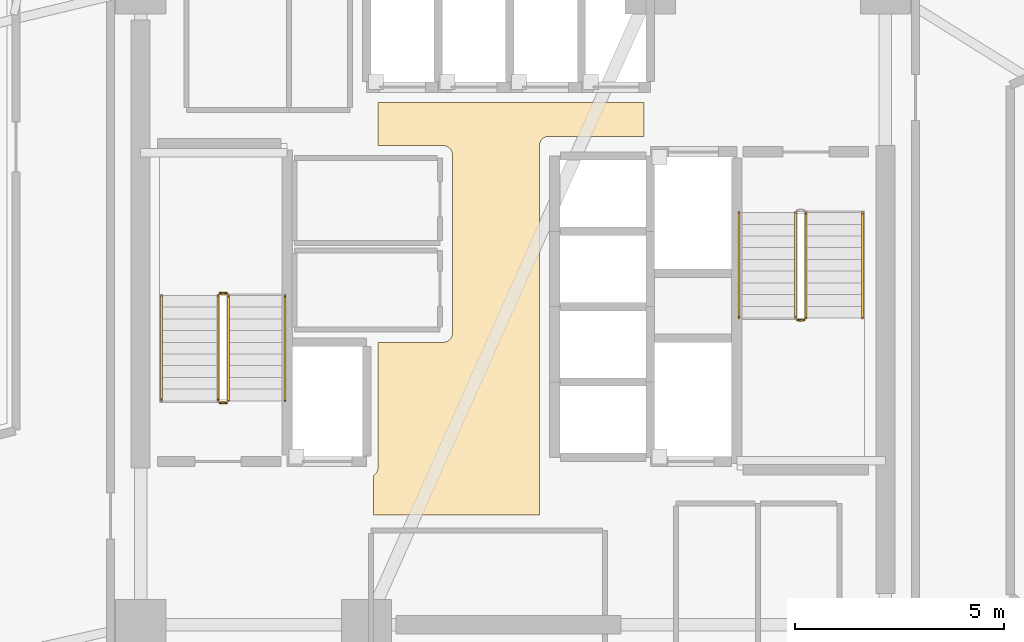
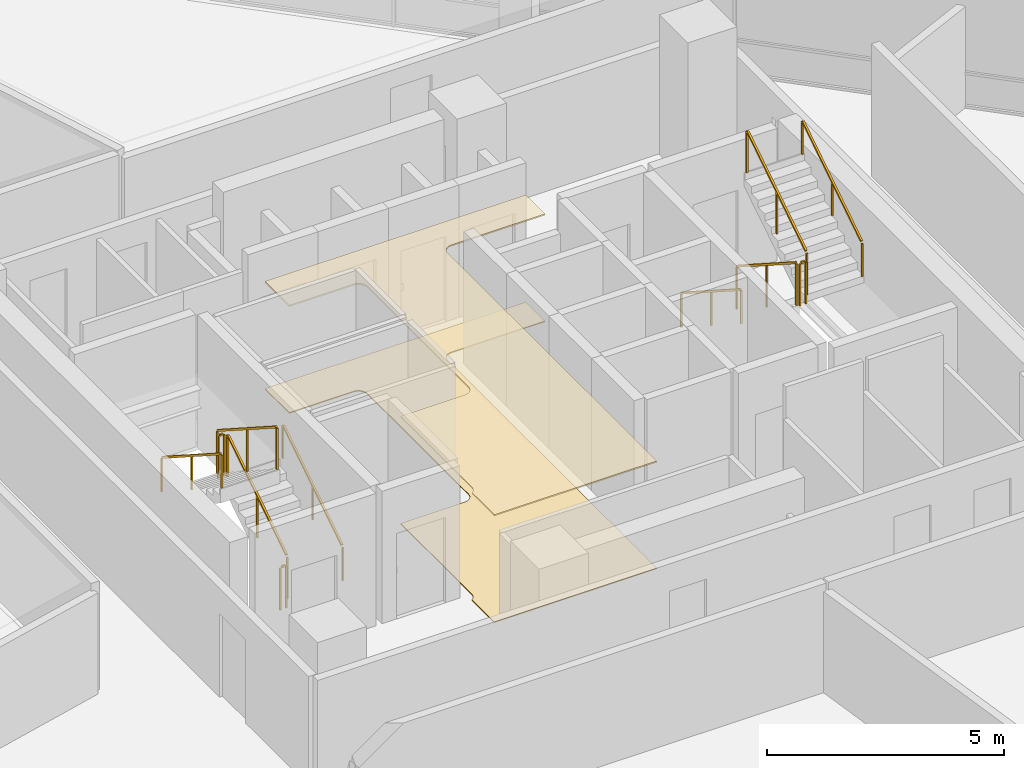
# One storey, part 15 of 18: 11 railings, 2 coverings.
"""IFC4 building model written with IfcOpenShell, lengths in metres."""

from ifc_helpers import new_model, si_unit, direction, frame, origin, origin_2d, place, context, subcontext, project, spatial, polyline, rectangle, outline, extrude, material, layer, layer_set, type_object, element, save


model = new_model("IFC4")

# Units and contexts
model_context = context("Model", 3, precision=1e-05, world=origin(), true_north=direction((0.0, 1.0)))
body_context = subcontext(model_context, "Body", "Model", "MODEL_VIEW")
ifc_project = project(units=[si_unit("LENGTHUNIT", "METRE"), si_unit("AREAUNIT", "SQUARE_METRE"), si_unit("VOLUMEUNIT", "CUBIC_METRE"), si_unit("PLANEANGLEUNIT", "RADIAN"), si_unit("MASSUNIT", "GRAM", prefix="KILO")], contexts=[model_context])

# Site, building, storey
site_placement = place(None, origin())
site = spatial("IfcSite", under=ifc_project, at=site_placement, CompositionType="ELEMENT")
building_placement = place(site_placement, origin())
building = spatial("IfcBuilding", under=site, at=building_placement, Name="Tharavind Bronze Gate", CompositionType="ELEMENT")
storey_placement = place(building_placement, frame((0.0, 0.0, 100.5)))
storey = spatial("IfcBuildingStorey", under=building, at=storey_placement, Name="L25", CompositionType="ELEMENT", Elevation=100.5)

# Coverings
ifc_material_1 = material(Name="Perforated Bronze Acoustic Panel", Category="bronze")
ifc_layer_1 = layer(ifc_material_1, 0.044921875)
ifc_layer_set_1 = layer_set([ifc_layer_1], Name="Perforated Bronze Acoustic Panel")
covering_type_1 = type_object("IfcCoveringType", Name="ACOUSTIC BRONZE BAFFLE CEILING", PredefinedType="CEILING", material=ifc_layer_set_1)
covering_1_placement = place(storey_placement, frame((0.0, 0.0, 2.75)))
element("IfcCovering", 1, at=covering_1_placement, inside=storey, type_object=covering_type_1, Name="L25-C-LL suspended ceiling", PredefinedType="CEILING", context=body_context, shape_type="SweptSolid", body=[
    extrude(outline(polyline([(-3.330078125, -4.97998046875), (0.6298828125, -4.97998046875), (0.6298828125, 3.85009765625), (0.631103515625, 3.87158203125), (0.63427734375, 3.892822265625), (0.639404296875, 3.913818359375), (0.646728515625, 3.93408203125), (0.656005859375, 3.95361328125), (0.6669921875, 3.97216796875), (0.679931640625, 3.989501953125), (0.6943359375, 4.005615234375), (0.71044921875, 4.02001953125), (0.727783203125, 4.032958984375), (0.746337890625, 4.0439453125), (0.765869140625, 4.05322265625), (0.7861328125, 4.060546875), (0.80712890625, 4.06591796875), (0.828369140625, 4.06884765625), (0.85009765625, 4.070068359375), (3.1298828125, 4.070068359375), (3.1298828125, 4.8798828125), (-3.22998046875, 4.8798828125), (-3.22998046875, 3.85009765625), (-1.669921875, 3.85009765625), (-1.6484375, 3.848876953125), (-1.627197265625, 3.845703125), (-1.606201171875, 3.840576171875), (-1.585693359375, 3.833251953125), (-1.56640625, 3.823974609375), (-1.5478515625, 3.81298828125), (-1.530517578125, 3.800048828125), (-1.514404296875, 3.78564453125), (-1.5, 3.76953125), (-1.487060546875, 3.752197265625), (-1.47607421875, 3.733642578125), (-1.466796875, 3.714111328125), (-1.45947265625, 3.69384765625), (-1.4541015625, 3.6728515625), (-1.451171875, 3.651611328125), (-1.449951171875, 3.6298828125), (-1.449951171875, 1.43994140625), (-1.450439453125, 1.429931640625), (-1.449951171875, 1.419921875), (-1.449951171875, -0.6298828125), (-1.451171875, -0.651611328125), (-1.4541015625, -0.6728515625), (-1.45947265625, -0.69384765625), (-1.466796875, -0.714111328125), (-1.47607421875, -0.733642578125), (-1.487060546875, -0.752197265625), (-1.5, -0.76953125), (-1.514404296875, -0.78564453125), (-1.530517578125, -0.800048828125), (-1.5478515625, -0.81298828125), (-1.56640625, -0.823974609375), (-1.585693359375, -0.833251953125), (-1.606201171875, -0.840576171875), (-1.627197265625, -0.845703125), (-1.6484375, -0.848876953125), (-1.669921875, -0.85009765625), (-3.22998046875, -0.85009765625), (-3.22998046875, -3.85009765625), (-3.231201171875, -3.87158203125), (-3.234130859375, -3.892822265625), (-3.239501953125, -3.913818359375), (-3.24658203125, -3.93408203125), (-3.256103515625, -3.95361328125), (-3.26708984375, -3.97216796875), (-3.27978515625, -3.989501953125), (-3.29443359375, -4.005615234375), (-3.310302734375, -4.02001953125), (-3.327880859375, -4.032958984375), (-3.330078125, -4.0341796875), (-3.330078125, -4.97998046875)])), origin(), (0.0, 0.0, 1.0), 0.034912109375),
])
ifc_material_2 = material(Name="Honed Travertine Limestone", Category="masonry")
ifc_layer_2 = layer(ifc_material_2, 0.030029296875)
ifc_layer_set_2 = layer_set([ifc_layer_2], Name="Honed Travertine Limestone")
covering_type_2 = type_object("IfcCoveringType", Name="HONED LIMESTONE FLOORING", PredefinedType="FLOORING", material=ifc_layer_set_2)
covering_2_placement = place(storey_placement, origin())
element("IfcCovering", 2, at=covering_2_placement, inside=storey, type_object=covering_type_2, Name="L25-C-LL floor finish", PredefinedType="FLOORING", context=body_context, shape_type="SweptSolid", body=[
    extrude(outline(polyline([(-3.330078125, -4.97998046875), (0.6298828125, -4.97998046875), (0.6298828125, 3.85009765625), (0.631103515625, 3.87158203125), (0.63427734375, 3.892822265625), (0.639404296875, 3.913818359375), (0.646728515625, 3.93408203125), (0.656005859375, 3.95361328125), (0.6669921875, 3.97216796875), (0.679931640625, 3.989501953125), (0.6943359375, 4.005615234375), (0.71044921875, 4.02001953125), (0.727783203125, 4.032958984375), (0.746337890625, 4.0439453125), (0.765869140625, 4.05322265625), (0.7861328125, 4.060546875), (0.80712890625, 4.06591796875), (0.828369140625, 4.06884765625), (0.85009765625, 4.070068359375), (3.1298828125, 4.070068359375), (3.1298828125, 4.8798828125), (-3.22998046875, 4.8798828125), (-3.22998046875, 3.85009765625), (-1.669921875, 3.85009765625), (-1.6484375, 3.848876953125), (-1.627197265625, 3.845703125), (-1.606201171875, 3.840576171875), (-1.585693359375, 3.833251953125), (-1.56640625, 3.823974609375), (-1.5478515625, 3.81298828125), (-1.530517578125, 3.800048828125), (-1.514404296875, 3.78564453125), (-1.5, 3.76953125), (-1.487060546875, 3.752197265625), (-1.47607421875, 3.733642578125), (-1.466796875, 3.714111328125), (-1.45947265625, 3.69384765625), (-1.4541015625, 3.6728515625), (-1.451171875, 3.651611328125), (-1.449951171875, 3.6298828125), (-1.449951171875, 1.43994140625), (-1.450439453125, 1.429931640625), (-1.449951171875, 1.419921875), (-1.449951171875, -0.6298828125), (-1.451171875, -0.651611328125), (-1.4541015625, -0.6728515625), (-1.45947265625, -0.69384765625), (-1.466796875, -0.714111328125), (-1.47607421875, -0.733642578125), (-1.487060546875, -0.752197265625), (-1.5, -0.76953125), (-1.514404296875, -0.78564453125), (-1.530517578125, -0.800048828125), (-1.5478515625, -0.81298828125), (-1.56640625, -0.823974609375), (-1.585693359375, -0.833251953125), (-1.606201171875, -0.840576171875), (-1.627197265625, -0.845703125), (-1.6484375, -0.848876953125), (-1.669921875, -0.85009765625), (-3.22998046875, -0.85009765625), (-3.22998046875, -3.85009765625), (-3.231201171875, -3.87158203125), (-3.234130859375, -3.892822265625), (-3.239501953125, -3.913818359375), (-3.24658203125, -3.93408203125), (-3.256103515625, -3.95361328125), (-3.26708984375, -3.97216796875), (-3.27978515625, -3.989501953125), (-3.29443359375, -4.005615234375), (-3.310302734375, -4.02001953125), (-3.327880859375, -4.032958984375), (-3.330078125, -4.0341796875), (-3.330078125, -4.97998046875)])), origin(), (0.0, 0.0, 1.0), 0.02490234375),
])

# Railings
ifc_material_3 = material(Name="Brushed Bronze Alloy", Category="metal")
railing_type_1 = type_object("IfcRailingType", Name="STAIR BRONZE HANDRAIL 900", PredefinedType="HANDRAIL", material=ifc_material_3)
railing_1_placement = place(storey_placement, frame((-5.449951171875, -2.25, 0.179931640625)))
element("IfcRailing", 3, at=railing_1_placement, inside=storey, type_object=railing_type_1, Name="L25 ST1 stair handrail 1", PredefinedType="HANDRAIL", context=body_context, shape_type="SweptSolid", body=[
    extrude(rectangle(XDim=0.048095703125, YDim=0.048095703125, at=origin_2d()), frame((0.0, 0.02685546875, 0.89306640625), z_axis=(0.0, 0.841162588446, 0.540782303519), x_axis=(-1.0, 0.0, 0.0)), (0.0, 0.0, 1.0), 2.931884765625),
    extrude(rectangle(XDim=0.0400390625, YDim=0.0400390625, at=origin_2d()), origin(), (0.0, 0.0, 1.0), 0.847900390625),
    extrude(rectangle(XDim=0.0400390625, YDim=0.0400390625, at=origin_2d()), frame((0.0, 1.260009765625, 0.81005859375)), (0.0, 0.0, 1.0), 0.847900390625),
    extrude(rectangle(XDim=0.0400390625, YDim=0.0400390625, at=origin_2d()), frame((0.0, 2.52001953125, 1.6201171875)), (0.0, 0.0, 1.0), 0.847900390625),
])
for number, where, name in (
    (4, (-8.39990234375, 0.27001953125, 1.97998046875), "L25 ST1 stair handrail 2"),
    (5, (5.39990234375, 2.25, 0.179931640625), "L25 ST2 stair handrail 1"),
):
    element("IfcRailing", number, at=place(storey_placement, frame(where)), inside=storey, type_object=railing_type_1, Name=name, PredefinedType="HANDRAIL", context=body_context, shape_type="SweptSolid", body=[
        extrude(rectangle(XDim=0.048095703125, YDim=0.048095703125, at=origin_2d()), frame((0.0, -0.02685546875, 0.89306640625), z_axis=(0.0, -0.841162588446, 0.540782303519), x_axis=(1.0, 0.0, 0.0)), (0.0, 0.0, 1.0), 2.931884765625),
        extrude(rectangle(XDim=0.0400390625, YDim=0.0400390625, at=origin_2d()), origin(), (0.0, 0.0, 1.0), 0.847900390625),
        extrude(rectangle(XDim=0.0400390625, YDim=0.0400390625, at=origin_2d()), frame((0.0, -1.260009765625, 0.81005859375)), (0.0, 0.0, 1.0), 0.847900390625),
        extrude(rectangle(XDim=0.0400390625, YDim=0.0400390625, at=origin_2d()), frame((0.0, -2.52001953125, 1.6201171875)), (0.0, 0.0, 1.0), 0.847900390625),
    ])
railing_2_placement = place(storey_placement, frame((8.35009765625, -0.27001953125, 1.97998046875)))
element("IfcRailing", 6, at=railing_2_placement, inside=storey, type_object=railing_type_1, Name="L25 ST2 stair handrail 2", PredefinedType="HANDRAIL", context=body_context, shape_type="SweptSolid", body=[
    extrude(rectangle(XDim=0.048095703125, YDim=0.048095703125, at=origin_2d()), frame((0.0, 0.02685546875, 0.89306640625), z_axis=(0.0, 0.841162588446, 0.540782303519), x_axis=(-1.0, 0.0, 0.0)), (0.0, 0.0, 1.0), 2.931884765625),
    extrude(rectangle(XDim=0.0400390625, YDim=0.0400390625, at=origin_2d()), origin(), (0.0, 0.0, 1.0), 0.847900390625),
    extrude(rectangle(XDim=0.0400390625, YDim=0.0400390625, at=origin_2d()), frame((0.0, 1.260009765625, 0.81005859375)), (0.0, 0.0, 1.0), 0.847900390625),
    extrude(rectangle(XDim=0.0400390625, YDim=0.0400390625, at=origin_2d()), frame((0.0, 2.52001953125, 1.6201171875)), (0.0, 0.0, 1.0), 0.847900390625),
])
railing_type_2 = type_object("IfcRailingType", Name="STAIR WELL GUARD RAILING 1120", PredefinedType="GUARDRAIL", material=ifc_material_3)
railing_3_placement = place(storey_placement, frame((-6.800048828125, -2.25, 0.179931640625)))
element("IfcRailing", 7, at=railing_3_placement, inside=storey, type_object=railing_type_2, Name="L25 ST1 stair guard 1", PredefinedType="GUARDRAIL", context=body_context, shape_type="SweptSolid", body=[
    extrude(rectangle(XDim=0.048095703125, YDim=0.048095703125, at=origin_2d()), frame((0.0, 0.02685546875, 1.11328125), z_axis=(0.0, 0.841162588446, 0.540782303519), x_axis=(-1.0, 0.0, 0.0)), (0.0, 0.0, 1.0), 2.931884765625),
    extrude(rectangle(XDim=0.0400390625, YDim=0.0400390625, at=origin_2d()), origin(), (0.0, 0.0, 1.0), 1.068115234375),
    extrude(rectangle(XDim=0.0400390625, YDim=0.0400390625, at=origin_2d()), frame((0.0, 1.260009765625, 0.81005859375)), (0.0, 0.0, 1.0), 1.068115234375),
    extrude(rectangle(XDim=0.0400390625, YDim=0.0400390625, at=origin_2d()), frame((0.0, 2.52001953125, 1.6201171875)), (0.0, 0.0, 1.0), 1.068115234375),
])
railing_4_placement = place(storey_placement, frame((-6.85009765625, 0.320068359375, 1.800048828125)))
element("IfcRailing", 8, at=railing_4_placement, inside=storey, type_object=railing_type_2, Name="L25 ST1 stair guard 2", PredefinedType="GUARDRAIL", context=body_context, shape_type="SweptSolid", body=[
    extrude(rectangle(XDim=0.048095703125, YDim=0.048095703125, at=origin_2d()), frame((-0.031982421875, 0.0, 1.09619140625), z_axis=(-1.0, 0.0, 0.0), x_axis=(0.0, -1.0, 0.0)), (0.0, 0.0, 1.0), 0.0859375),
    extrude(rectangle(XDim=0.0400390625, YDim=0.0400390625, at=origin_2d()), origin(), (0.0, 0.0, 1.0), 1.068115234375),
    extrude(rectangle(XDim=0.0400390625, YDim=0.0400390625, at=origin_2d()), frame((-0.14990234375, 0.0, 0.0)), (0.0, 0.0, 1.0), 1.068115234375),
])
railing_5_placement = place(storey_placement, frame((-7.050048828125, 0.27001953125, 1.97998046875)))
element("IfcRailing", 9, at=railing_5_placement, inside=storey, type_object=railing_type_2, Name="L25 ST1 stair guard 3", PredefinedType="GUARDRAIL", context=body_context, shape_type="SweptSolid", body=[
    extrude(rectangle(XDim=0.048095703125, YDim=0.048095703125, at=origin_2d()), frame((0.0, -0.02685546875, 1.11328125), z_axis=(0.0, -0.841162588446, 0.540782303519), x_axis=(1.0, 0.0, 0.0)), (0.0, 0.0, 1.0), 2.931884765625),
    extrude(rectangle(XDim=0.0400390625, YDim=0.0400390625, at=origin_2d()), origin(), (0.0, 0.0, 1.0), 1.068115234375),
    extrude(rectangle(XDim=0.0400390625, YDim=0.0400390625, at=origin_2d()), frame((0.0, -1.260009765625, 0.81005859375)), (0.0, 0.0, 1.0), 1.068115234375),
    extrude(rectangle(XDim=0.0400390625, YDim=0.0400390625, at=origin_2d()), frame((0.0, -2.52001953125, 1.6201171875)), (0.0, 0.0, 1.0), 1.068115234375),
])
railing_6_placement = place(storey_placement, frame((-6.85009765625, -2.300048828125, 0.0)))
element("IfcRailing", 10, at=railing_6_placement, inside=storey, type_object=railing_type_2, Name="L25 ST1 stair guard 4", PredefinedType="GUARDRAIL", context=body_context, shape_type="SweptSolid", body=[
    extrude(rectangle(XDim=0.048095703125, YDim=0.048095703125, at=origin_2d()), frame((-0.031982421875, 0.0, 1.09619140625), z_axis=(-1.0, 0.0, 0.0), x_axis=(0.0, -1.0, 0.0)), (0.0, 0.0, 1.0), 0.0859375),
    extrude(rectangle(XDim=0.0400390625, YDim=0.0400390625, at=origin_2d()), origin(), (0.0, 0.0, 1.0), 1.068115234375),
    extrude(rectangle(XDim=0.0400390625, YDim=0.0400390625, at=origin_2d()), frame((-0.14990234375, 0.0, 0.0)), (0.0, 0.0, 1.0), 1.068115234375),
])
railing_7_placement = place(storey_placement, frame((6.75, 2.25, 0.179931640625)))
element("IfcRailing", 11, at=railing_7_placement, inside=storey, type_object=railing_type_2, Name="L25 ST2 stair guard 1", PredefinedType="GUARDRAIL", context=body_context, shape_type="SweptSolid", body=[
    extrude(rectangle(XDim=0.048095703125, YDim=0.048095703125, at=origin_2d()), frame((0.0, -0.02685546875, 1.11328125), z_axis=(0.0, -0.841162588446, 0.540782303519), x_axis=(1.0, 0.0, 0.0)), (0.0, 0.0, 1.0), 2.931884765625),
    extrude(rectangle(XDim=0.0400390625, YDim=0.0400390625, at=origin_2d()), origin(), (0.0, 0.0, 1.0), 1.068115234375),
    extrude(rectangle(XDim=0.0400390625, YDim=0.0400390625, at=origin_2d()), frame((0.0, -1.260009765625, 0.81005859375)), (0.0, 0.0, 1.0), 1.068115234375),
    extrude(rectangle(XDim=0.0400390625, YDim=0.0400390625, at=origin_2d()), frame((0.0, -2.52001953125, 1.6201171875)), (0.0, 0.0, 1.0), 1.068115234375),
])
railing_8_placement = place(storey_placement, frame((6.800048828125, -0.320068359375, 1.800048828125)))
element("IfcRailing", 12, at=railing_8_placement, inside=storey, type_object=railing_type_2, Name="L25 ST2 stair guard 2", PredefinedType="GUARDRAIL", context=body_context, shape_type="SweptSolid", body=[
    extrude(rectangle(XDim=0.048095703125, YDim=0.048095703125, at=origin_2d()), frame((0.031982421875, 0.0, 1.09619140625), z_axis=(1.0, 0.0, 0.0), x_axis=(0.0, 1.0, 0.0)), (0.0, 0.0, 1.0), 0.0859375),
    extrude(rectangle(XDim=0.0400390625, YDim=0.0400390625, at=origin_2d()), origin(), (0.0, 0.0, 1.0), 1.068115234375),
    extrude(rectangle(XDim=0.0400390625, YDim=0.0400390625, at=origin_2d()), frame((0.14990234375, 0.0, 0.0)), (0.0, 0.0, 1.0), 1.068115234375),
])
railing_9_placement = place(storey_placement, frame((7.0, -0.27001953125, 1.97998046875)))
element("IfcRailing", 13, at=railing_9_placement, inside=storey, type_object=railing_type_2, Name="L25 ST2 stair guard 3", PredefinedType="GUARDRAIL", context=body_context, shape_type="SweptSolid", body=[
    extrude(rectangle(XDim=0.048095703125, YDim=0.048095703125, at=origin_2d()), frame((0.0, 0.02685546875, 1.11328125), z_axis=(0.0, 0.841162588446, 0.540782303519), x_axis=(-1.0, 0.0, 0.0)), (0.0, 0.0, 1.0), 2.931884765625),
    extrude(rectangle(XDim=0.0400390625, YDim=0.0400390625, at=origin_2d()), origin(), (0.0, 0.0, 1.0), 1.068115234375),
    extrude(rectangle(XDim=0.0400390625, YDim=0.0400390625, at=origin_2d()), frame((0.0, 1.260009765625, 0.81005859375)), (0.0, 0.0, 1.0), 1.068115234375),
    extrude(rectangle(XDim=0.0400390625, YDim=0.0400390625, at=origin_2d()), frame((0.0, 2.52001953125, 1.6201171875)), (0.0, 0.0, 1.0), 1.068115234375),
])

save(model, "model.ifc")
